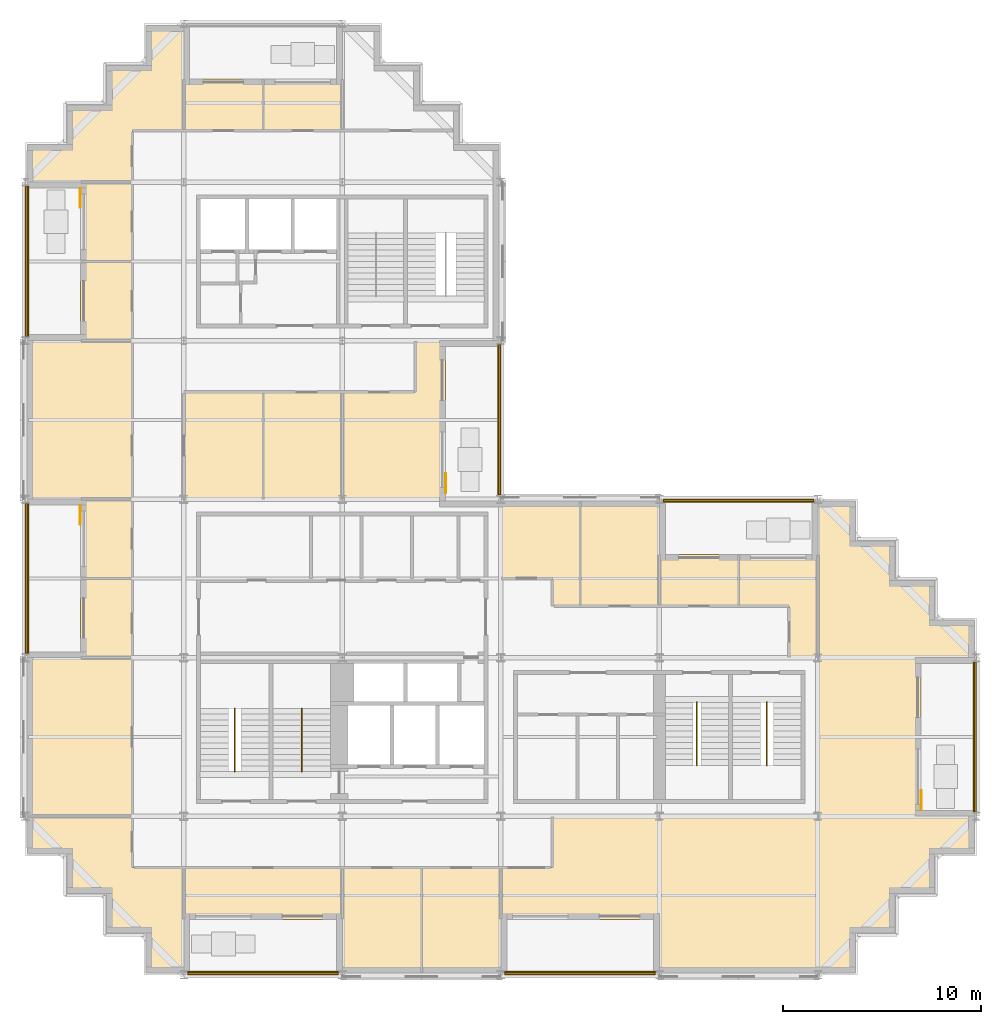
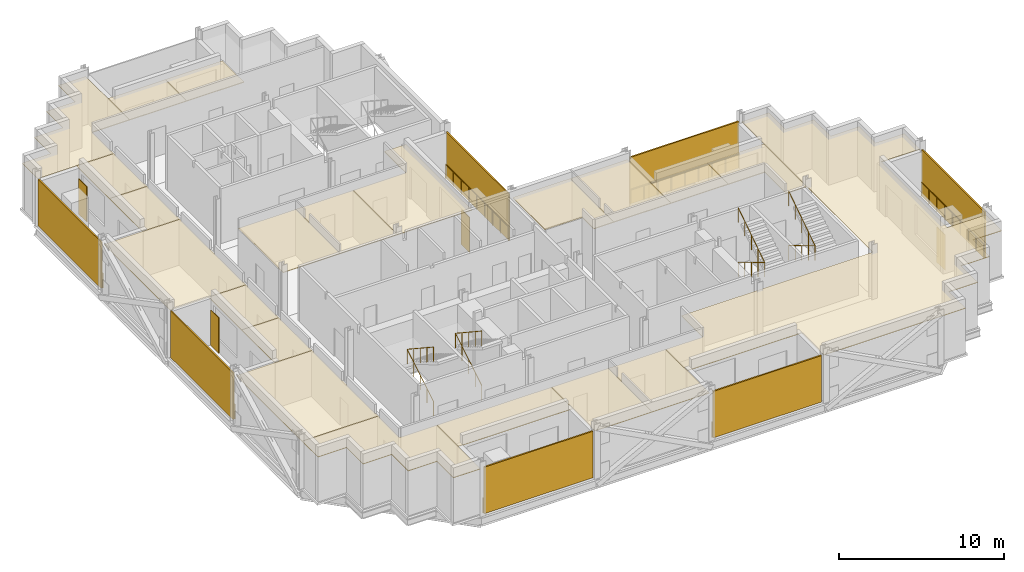
# One storey, part 11 of 13: 21 coverings, 11 railings, 11 shading devices.
"""IFC4 building model written with IfcOpenShell, lengths in metres."""

from ifc_helpers import new_model, si_unit, direction, frame, origin, origin_2d, place, context, subcontext, project, spatial, polyline, rectangle, circle, outline, extrude, material, layer, layer_set, type_object, element, save


model = new_model("IFC4")

# Units and contexts
model_context = context("Model", 3, precision=1e-05, world=origin(), true_north=direction((0.0, 1.0)))
body_context = subcontext(model_context, "Body", "Model", "MODEL_VIEW")
ifc_project = project(units=[si_unit("LENGTHUNIT", "METRE"), si_unit("AREAUNIT", "SQUARE_METRE"), si_unit("VOLUMEUNIT", "CUBIC_METRE"), si_unit("PLANEANGLEUNIT", "RADIAN"), si_unit("MASSUNIT", "GRAM", prefix="KILO")], contexts=[model_context])

# Site, building, storey
site_placement = place(None, origin())
site = spatial("IfcSite", under=ifc_project, at=site_placement, CompositionType="ELEMENT")
building_placement = place(site_placement, origin())
building = spatial("IfcBuilding", under=site, at=building_placement, Name="Immortelle Media Tower", CompositionType="ELEMENT")
storey_placement = place(building_placement, frame((0.0, 0.0, 174.60009765625)))
storey = spatial("IfcBuildingStorey", under=building, at=storey_placement, Name="L36", CompositionType="ELEMENT", Elevation=174.60009765625)

# Railings
ifc_material_1 = material(Name="Powder-coated aluminium fretwork panel, laminated glass backing", Category="aluminium")
railing_type_1 = type_object("IfcRailingType", Name="Fretwork balustrade 1100", PredefinedType="BALUSTRADE", material=ifc_material_1)
railing_1_placement = place(storey_placement, frame((8.202880859375, 0.139892578125, 0.0)))
element("IfcRailing", 1, at=railing_1_placement, inside=storey, type_object=railing_type_1, Name="Fretwork balustrade L36 S0", PredefinedType="BALUSTRADE", context=body_context, shape_type="SweptSolid", body=[
    extrude(circle(Radius=0.02490234375, at=origin_2d()), frame((0.0, 0.0, 1.0751953125), z_axis=(1.0, 0.0, 0.0), x_axis=(0.0, 1.0, 0.0)), (0.0, 0.0, 1.0), 7.591552734375),
    extrude(circle(Radius=0.02001953125, at=origin_2d()), origin(), (0.0, 0.0, 1.0), 1.050048828125),
    extrude(circle(Radius=0.02001953125, at=origin_2d()), frame((0.948974609375, 0.0, 0.0)), (0.0, 0.0, 1.0), 1.050048828125),
    extrude(circle(Radius=0.02001953125, at=origin_2d()), frame((1.89794921875, 0.0, 0.0)), (0.0, 0.0, 1.0), 1.050048828125),
    extrude(circle(Radius=0.02001953125, at=origin_2d()), frame((2.846923828125, 0.0, 0.0)), (0.0, 0.0, 1.0), 1.050048828125),
    extrude(circle(Radius=0.02001953125, at=origin_2d()), frame((3.7958984375, 0.0, 0.0)), (0.0, 0.0, 1.0), 1.050048828125),
    extrude(circle(Radius=0.02001953125, at=origin_2d()), frame((4.74462890625, 0.0, 0.0)), (0.0, 0.0, 1.0), 1.050048828125),
    extrude(circle(Radius=0.02001953125, at=origin_2d()), frame((5.693603515625, 0.0, 0.0)), (0.0, 0.0, 1.0), 1.050048828125),
    extrude(circle(Radius=0.02001953125, at=origin_2d()), frame((6.642578125, 0.0, 0.0)), (0.0, 0.0, 1.0), 1.050048828125),
    extrude(circle(Radius=0.02001953125, at=origin_2d()), frame((7.591552734375, 0.0, 0.0)), (0.0, 0.0, 1.0), 1.050048828125),
])
railing_2_placement = place(storey_placement, frame((24.20556640625, 0.139892578125, 0.0)))
element("IfcRailing", 2, at=railing_2_placement, inside=storey, type_object=railing_type_1, Name="Fretwork balustrade L36 S2", PredefinedType="BALUSTRADE", context=body_context, shape_type="SweptSolid", body=[
    extrude(circle(Radius=0.02490234375, at=origin_2d()), frame((0.0, 0.0, 1.0751953125), z_axis=(1.0, 0.0, 0.0), x_axis=(0.0, 1.0, 0.0)), (0.0, 0.0, 1.0), 7.5888671875),
    extrude(circle(Radius=0.02001953125, at=origin_2d()), origin(), (0.0, 0.0, 1.0), 1.050048828125),
    extrude(circle(Radius=0.02001953125, at=origin_2d()), frame((0.94873046875, 0.0, 0.0)), (0.0, 0.0, 1.0), 1.050048828125),
    extrude(circle(Radius=0.02001953125, at=origin_2d()), frame((1.897216796875, 0.0, 0.0)), (0.0, 0.0, 1.0), 1.050048828125),
    extrude(circle(Radius=0.02001953125, at=origin_2d()), frame((2.845703125, 0.0, 0.0)), (0.0, 0.0, 1.0), 1.050048828125),
    extrude(circle(Radius=0.02001953125, at=origin_2d()), frame((3.79443359375, 0.0, 0.0)), (0.0, 0.0, 1.0), 1.050048828125),
    extrude(circle(Radius=0.02001953125, at=origin_2d()), frame((4.7431640625, 0.0, 0.0)), (0.0, 0.0, 1.0), 1.050048828125),
    extrude(circle(Radius=0.02001953125, at=origin_2d()), frame((5.691650390625, 0.0, 0.0)), (0.0, 0.0, 1.0), 1.050048828125),
    extrude(circle(Radius=0.02001953125, at=origin_2d()), frame((6.64013671875, 0.0, 0.0)), (0.0, 0.0, 1.0), 1.050048828125),
    extrude(circle(Radius=0.02001953125, at=origin_2d()), frame((7.5888671875, 0.0, 0.0)), (0.0, 0.0, 1.0), 1.050048828125),
])
railing_3_placement = place(storey_placement, frame((47.860107421875, 8.20849609375, 0.0)))
element("IfcRailing", 3, at=railing_3_placement, inside=storey, type_object=railing_type_1, Name="Fretwork balustrade L36 E0", PredefinedType="BALUSTRADE", context=body_context, shape_type="SweptSolid", body=[
    extrude(circle(Radius=0.02490234375, at=origin_2d()), frame((0.0, 0.0, 1.0751953125), z_axis=(0.0, 1.0, 0.0), x_axis=(-1.0, 0.0, 0.0)), (0.0, 0.0, 1.0), 7.5830078125),
    extrude(circle(Radius=0.02001953125, at=origin_2d()), origin(), (0.0, 0.0, 1.0), 1.050048828125),
    extrude(circle(Radius=0.02001953125, at=origin_2d()), frame((0.0, 0.94775390625, 0.0)), (0.0, 0.0, 1.0), 1.050048828125),
    extrude(circle(Radius=0.02001953125, at=origin_2d()), frame((0.0, 1.895751953125, 0.0)), (0.0, 0.0, 1.0), 1.050048828125),
    extrude(circle(Radius=0.02001953125, at=origin_2d()), frame((0.0, 2.84375, 0.0)), (0.0, 0.0, 1.0), 1.050048828125),
    extrude(circle(Radius=0.02001953125, at=origin_2d()), frame((0.0, 3.79150390625, 0.0)), (0.0, 0.0, 1.0), 1.050048828125),
    extrude(circle(Radius=0.02001953125, at=origin_2d()), frame((0.0, 4.7392578125, 0.0)), (0.0, 0.0, 1.0), 1.050048828125),
    extrude(circle(Radius=0.02001953125, at=origin_2d()), frame((0.0, 5.687255859375, 0.0)), (0.0, 0.0, 1.0), 1.050048828125),
    extrude(circle(Radius=0.02001953125, at=origin_2d()), frame((0.0, 6.63525390625, 0.0)), (0.0, 0.0, 1.0), 1.050048828125),
    extrude(circle(Radius=0.02001953125, at=origin_2d()), frame((0.0, 7.5830078125, 0.0)), (0.0, 0.0, 1.0), 1.050048828125),
])
railing_4_placement = place(storey_placement, frame((39.797119140625, 23.860107421875, 0.0)))
element("IfcRailing", 4, at=railing_4_placement, inside=storey, type_object=railing_type_1, Name="Fretwork balustrade L36 N0", PredefinedType="BALUSTRADE", context=body_context, shape_type="SweptSolid", body=[
    extrude(circle(Radius=0.02490234375, at=origin_2d()), frame((0.0, 0.0, 1.0751953125), z_axis=(-1.0, 0.0, 0.0), x_axis=(0.0, -1.0, 0.0)), (0.0, 0.0, 1.0), 7.591552734375),
    extrude(circle(Radius=0.02001953125, at=origin_2d()), origin(), (0.0, 0.0, 1.0), 1.050048828125),
    extrude(circle(Radius=0.02001953125, at=origin_2d()), frame((-0.948974609375, 0.0, 0.0)), (0.0, 0.0, 1.0), 1.050048828125),
    extrude(circle(Radius=0.02001953125, at=origin_2d()), frame((-1.89794921875, 0.0, 0.0)), (0.0, 0.0, 1.0), 1.050048828125),
    extrude(circle(Radius=0.02001953125, at=origin_2d()), frame((-2.846923828125, 0.0, 0.0)), (0.0, 0.0, 1.0), 1.050048828125),
    extrude(circle(Radius=0.02001953125, at=origin_2d()), frame((-3.7958984375, 0.0, 0.0)), (0.0, 0.0, 1.0), 1.050048828125),
    extrude(circle(Radius=0.02001953125, at=origin_2d()), frame((-4.74462890625, 0.0, 0.0)), (0.0, 0.0, 1.0), 1.050048828125),
    extrude(circle(Radius=0.02001953125, at=origin_2d()), frame((-5.693603515625, 0.0, 0.0)), (0.0, 0.0, 1.0), 1.050048828125),
    extrude(circle(Radius=0.02001953125, at=origin_2d()), frame((-6.642578125, 0.0, 0.0)), (0.0, 0.0, 1.0), 1.050048828125),
    extrude(circle(Radius=0.02001953125, at=origin_2d()), frame((-7.591552734375, 0.0, 0.0)), (0.0, 0.0, 1.0), 1.050048828125),
])
railing_5_placement = place(storey_placement, frame((23.860107421875, 24.217041015625, 0.0)))
element("IfcRailing", 5, at=railing_5_placement, inside=storey, type_object=railing_type_1, Name="Fretwork balustrade L36 E0", PredefinedType="BALUSTRADE", context=body_context, shape_type="SweptSolid", body=[
    extrude(circle(Radius=0.02490234375, at=origin_2d()), frame((0.0, 0.0, 1.0751953125), z_axis=(0.0, 1.0, 0.0), x_axis=(-1.0, 0.0, 0.0)), (0.0, 0.0, 1.0), 7.58984375),
    extrude(circle(Radius=0.02001953125, at=origin_2d()), origin(), (0.0, 0.0, 1.0), 1.050048828125),
    extrude(circle(Radius=0.02001953125, at=origin_2d()), frame((0.0, 0.94873046875, 0.0)), (0.0, 0.0, 1.0), 1.050048828125),
    extrude(circle(Radius=0.02001953125, at=origin_2d()), frame((0.0, 1.8974609375, 0.0)), (0.0, 0.0, 1.0), 1.050048828125),
    extrude(circle(Radius=0.02001953125, at=origin_2d()), frame((0.0, 2.84619140625, 0.0)), (0.0, 0.0, 1.0), 1.050048828125),
    extrude(circle(Radius=0.02001953125, at=origin_2d()), frame((0.0, 3.794921875, 0.0)), (0.0, 0.0, 1.0), 1.050048828125),
    extrude(circle(Radius=0.02001953125, at=origin_2d()), frame((0.0, 4.74365234375, 0.0)), (0.0, 0.0, 1.0), 1.050048828125),
    extrude(circle(Radius=0.02001953125, at=origin_2d()), frame((0.0, 5.6923828125, 0.0)), (0.0, 0.0, 1.0), 1.050048828125),
    extrude(circle(Radius=0.02001953125, at=origin_2d()), frame((0.0, 6.64111328125, 0.0)), (0.0, 0.0, 1.0), 1.050048828125),
    extrude(circle(Radius=0.02001953125, at=origin_2d()), frame((0.0, 7.58984375, 0.0)), (0.0, 0.0, 1.0), 1.050048828125),
])
railing_6_placement = place(storey_placement, frame((0.139892578125, 39.81591796875, 0.0)))
element("IfcRailing", 6, at=railing_6_placement, inside=storey, type_object=railing_type_1, Name="Fretwork balustrade L36 W0", PredefinedType="BALUSTRADE", context=body_context, shape_type="SweptSolid", body=[
    extrude(circle(Radius=0.02490234375, at=origin_2d()), frame((0.0, 0.0, 1.0751953125), z_axis=(0.0, -1.0, 0.0), x_axis=(1.0, 0.0, 0.0)), (0.0, 0.0, 1.0), 7.622802734375),
    extrude(circle(Radius=0.02001953125, at=origin_2d()), origin(), (0.0, 0.0, 1.0), 1.050048828125),
    extrude(circle(Radius=0.02001953125, at=origin_2d()), frame((0.0, -0.952880859375, 0.0)), (0.0, 0.0, 1.0), 1.050048828125),
    extrude(circle(Radius=0.02001953125, at=origin_2d()), frame((0.0, -1.90576171875, 0.0)), (0.0, 0.0, 1.0), 1.050048828125),
    extrude(circle(Radius=0.02001953125, at=origin_2d()), frame((0.0, -2.858642578125, 0.0)), (0.0, 0.0, 1.0), 1.050048828125),
    extrude(circle(Radius=0.02001953125, at=origin_2d()), frame((0.0, -3.8115234375, 0.0)), (0.0, 0.0, 1.0), 1.050048828125),
    extrude(circle(Radius=0.02001953125, at=origin_2d()), frame((0.0, -4.76416015625, 0.0)), (0.0, 0.0, 1.0), 1.050048828125),
    extrude(circle(Radius=0.02001953125, at=origin_2d()), frame((0.0, -5.717041015625, 0.0)), (0.0, 0.0, 1.0), 1.050048828125),
    extrude(circle(Radius=0.02001953125, at=origin_2d()), frame((0.0, -6.669921875, 0.0)), (0.0, 0.0, 1.0), 1.050048828125),
    extrude(circle(Radius=0.02001953125, at=origin_2d()), frame((0.0, -7.622802734375, 0.0)), (0.0, 0.0, 1.0), 1.050048828125),
])
railing_7_placement = place(storey_placement, frame((0.139892578125, 23.806884765625, 0.0)))
element("IfcRailing", 7, at=railing_7_placement, inside=storey, type_object=railing_type_1, Name="Fretwork balustrade L36 W2", PredefinedType="BALUSTRADE", context=body_context, shape_type="SweptSolid", body=[
    extrude(circle(Radius=0.02490234375, at=origin_2d()), frame((0.0, 0.0, 1.0751953125), z_axis=(0.0, -1.0, 0.0), x_axis=(1.0, 0.0, 0.0)), (0.0, 0.0, 1.0), 7.58984375),
    extrude(circle(Radius=0.02001953125, at=origin_2d()), origin(), (0.0, 0.0, 1.0), 1.050048828125),
    extrude(circle(Radius=0.02001953125, at=origin_2d()), frame((0.0, -0.94873046875, 0.0)), (0.0, 0.0, 1.0), 1.050048828125),
    extrude(circle(Radius=0.02001953125, at=origin_2d()), frame((0.0, -1.8974609375, 0.0)), (0.0, 0.0, 1.0), 1.050048828125),
    extrude(circle(Radius=0.02001953125, at=origin_2d()), frame((0.0, -2.84619140625, 0.0)), (0.0, 0.0, 1.0), 1.050048828125),
    extrude(circle(Radius=0.02001953125, at=origin_2d()), frame((0.0, -3.794921875, 0.0)), (0.0, 0.0, 1.0), 1.050048828125),
    extrude(circle(Radius=0.02001953125, at=origin_2d()), frame((0.0, -4.74365234375, 0.0)), (0.0, 0.0, 1.0), 1.050048828125),
    extrude(circle(Radius=0.02001953125, at=origin_2d()), frame((0.0, -5.6923828125, 0.0)), (0.0, 0.0, 1.0), 1.050048828125),
    extrude(circle(Radius=0.02001953125, at=origin_2d()), frame((0.0, -6.64111328125, 0.0)), (0.0, 0.0, 1.0), 1.050048828125),
    extrude(circle(Radius=0.02001953125, at=origin_2d()), frame((0.0, -7.58984375, 0.0)), (0.0, 0.0, 1.0), 1.050048828125),
])

# Shading devices
ifc_material_2 = material(Name="Pale aluminium louvre blades", Category="aluminium")
ifc_layer_1 = layer(ifc_material_2, 0.10009765625)
ifc_layer_set_1 = layer_set([ifc_layer_1], Name="Pale aluminium louvre blades")
shading_device_type_1 = type_object("IfcShadingDeviceType", Name="Jalousie screen 100", PredefinedType="JALOUSIE", material=ifc_layer_set_1)
shading_device_1_placement = place(storey_placement, frame((11.998779296875, 0.050048828125, 0.0), z_axis=(0.0, 0.0, 1.0), x_axis=(1.0, 0.0, 0.0)))
element("IfcShadingDevice", 8, at=shading_device_1_placement, inside=storey, type_object=shading_device_type_1, Name="Jalousie screen L36 S0", PredefinedType="JALOUSIE", context=body_context, shape_type="SweptSolid", body=[
    extrude(rectangle(XDim=7.591552734375, YDim=0.10009765625, at=origin_2d()), origin(), (0.0, 0.0, 1.0), 3.43798828125),
])
shading_device_2_placement = place(storey_placement, frame((28.0, 0.050048828125, 0.0), z_axis=(0.0, 0.0, 1.0), x_axis=(1.0, 0.0, 0.0)))
element("IfcShadingDevice", 9, at=shading_device_2_placement, inside=storey, type_object=shading_device_type_1, Name="Jalousie screen L36 S2", PredefinedType="JALOUSIE", context=body_context, shape_type="SweptSolid", body=[
    extrude(rectangle(XDim=7.589111328125, YDim=0.10009765625, at=origin_2d()), origin(), (0.0, 0.0, 1.0), 3.43798828125),
])
shading_device_3_placement = place(storey_placement, frame((47.949951171875, 12.0, 0.0), z_axis=(0.0, 0.0, 1.0), x_axis=(0.0, 1.0, 0.0)))
element("IfcShadingDevice", 10, at=shading_device_3_placement, inside=storey, type_object=shading_device_type_1, Name="Jalousie screen L36 E0", PredefinedType="JALOUSIE", context=body_context, shape_type="SweptSolid", body=[
    extrude(rectangle(XDim=7.5830078125, YDim=0.10009765625, at=origin_2d()), origin(), (0.0, 0.0, 1.0), 3.43798828125),
])
shading_device_4_placement = place(storey_placement, frame((36.001220703125, 23.949951171875, 0.0), z_axis=(0.0, 0.0, 1.0), x_axis=(-1.0, 0.0, 0.0)))
element("IfcShadingDevice", 11, at=shading_device_4_placement, inside=storey, type_object=shading_device_type_1, Name="Jalousie screen L36 N0", PredefinedType="JALOUSIE", context=body_context, shape_type="SweptSolid", body=[
    extrude(rectangle(XDim=7.591552734375, YDim=0.10009765625, at=origin_2d()), origin(), (0.0, 0.0, 1.0), 3.43798828125),
])
shading_device_5_placement = place(storey_placement, frame((23.949951171875, 28.011962890625, 0.0), z_axis=(0.0, 0.0, 1.0), x_axis=(0.0, 1.0, 0.0)))
element("IfcShadingDevice", 12, at=shading_device_5_placement, inside=storey, type_object=shading_device_type_1, Name="Jalousie screen L36 E0", PredefinedType="JALOUSIE", context=body_context, shape_type="SweptSolid", body=[
    extrude(rectangle(XDim=7.590087890625, YDim=0.10009765625, at=origin_2d()), origin(), (0.0, 0.0, 1.0), 3.43798828125),
])
shading_device_6_placement = place(storey_placement, frame((0.050048828125, 36.00439453125, 0.0), z_axis=(0.0, 0.0, 1.0), x_axis=(0.0, -1.0, 0.0)))
element("IfcShadingDevice", 13, at=shading_device_6_placement, inside=storey, type_object=shading_device_type_1, Name="Jalousie screen L36 W0", PredefinedType="JALOUSIE", context=body_context, shape_type="SweptSolid", body=[
    extrude(rectangle(XDim=7.623046875, YDim=0.10009765625, at=origin_2d()), origin(), (0.0, 0.0, 1.0), 3.43798828125),
])
shading_device_7_placement = place(storey_placement, frame((0.050048828125, 20.011962890625, 0.0), z_axis=(0.0, 0.0, 1.0), x_axis=(0.0, -1.0, 0.0)))
element("IfcShadingDevice", 14, at=shading_device_7_placement, inside=storey, type_object=shading_device_type_1, Name="Jalousie screen L36 W2", PredefinedType="JALOUSIE", context=body_context, shape_type="SweptSolid", body=[
    extrude(rectangle(XDim=7.590087890625, YDim=0.10009765625, at=origin_2d()), origin(), (0.0, 0.0, 1.0), 3.43798828125),
])
ifc_material_3 = material(Name="Pale aluminium louvre blades in a folding frame", Category="aluminium")
ifc_layer_2 = layer(ifc_material_3, 0.050048828125)
ifc_layer_set_2 = layer_set([ifc_layer_2], Name="Pale aluminium louvre blades in a folding frame")
shading_device_type_2 = type_object("IfcShadingDeviceType", Name="Louvred loggia shutter", PredefinedType="SHUTTER", material=ifc_layer_set_2)
for number, where, z_axis, x_axis, name in (
    (15, (45.22509765625, 8.800048828125, -0.000244140625), (0.0, 0.0, 1.0), (0.0, 1.0, 0.0), "Loggia shutter L36 E0"),
    (16, (21.22509765625, 24.800048828125, -0.000244140625), (0.0, 0.0, 1.0), (0.0, 1.0, 0.0), "Loggia shutter L36 E0"),
    (17, (2.77490234375, 39.199951171875, -0.000244140625), (0.0, 0.0, 1.0), (0.0, -1.0, 0.0), "Loggia shutter L36 W0"),
    (18, (2.77490234375, 23.199951171875, -0.000244140625), (0.0, 0.0, 1.0), (0.0, -1.0, 0.0), "Loggia shutter L36 W2"),
):
    element("IfcShadingDevice", number, at=place(storey_placement, frame(where, z_axis=z_axis, x_axis=x_axis)), inside=storey, type_object=shading_device_type_2, Name=name, PredefinedType="SHUTTER", context=body_context, shape_type="SweptSolid", body=[
        extrude(rectangle(XDim=1.0, YDim=0.050048828125, at=origin_2d()), origin(), (0.0, 0.0, 1.0), 2.60009765625),
    ])

# Railings
ifc_material_4 = material(Name="Stainless steel AISI 316", Category="steel")
railing_type_2 = type_object("IfcRailingType", Name="Stair guard 1100", PredefinedType="GUARDRAIL", material=ifc_material_4)
for number, where, name in (
    (19, (10.574951171875, 10.25, 0.1748046875), "Stair guard SW1"),
    (20, (13.949951171875, 10.25, 0.1748046875), "Stair guard SW2"),
):
    element("IfcRailing", number, at=place(storey_placement, frame(where)), inside=storey, type_object=railing_type_2, Name=name, PredefinedType="GUARDRAIL", context=body_context, shape_type="SweptSolid", body=[
        extrude(circle(Radius=0.02392578125, at=origin_2d()), frame((0.0, 0.0, 1.076171875), z_axis=(0.0, 0.856177665481, 0.516681531633), x_axis=(-1.0, 0.0, 0.0)), (0.0, 0.0, 1.0), 3.725830078125),
        extrude(circle(Radius=0.02392578125, at=origin_2d()), frame((0.0, 3.18994140625, 3.0009765625), z_axis=(0.0, -0.835242474824, 0.549881812983), x_axis=(1.0, 0.0, 0.0)), (0.0, 0.0, 1.0), 3.819091796875),
        extrude(circle(Radius=0.02099609375, at=origin_2d()), origin(), (0.0, 0.0, 1.0), 1.052001953125),
        extrude(circle(Radius=0.02099609375, at=origin_2d()), frame((0.0, 0.79736328125, 0.481201171875)), (0.0, 0.0, 1.0), 1.052001953125),
        extrude(circle(Radius=0.02099609375, at=origin_2d()), frame((0.0, 1.594970703125, 0.96240234375)), (0.0, 0.0, 1.0), 1.052001953125),
        extrude(circle(Radius=0.02099609375, at=origin_2d()), frame((0.0, 2.392578125, 1.44384765625)), (0.0, 0.0, 1.0), 1.052001953125),
        extrude(circle(Radius=0.02099609375, at=origin_2d()), frame((0.0, 3.18994140625, 1.925048828125)), (0.0, 0.0, 1.0), 1.052001953125),
        extrude(circle(Radius=0.02099609375, at=origin_2d()), frame((0.0, 2.392578125, 2.4501953125)), (0.0, 0.0, 1.0), 1.052001953125),
        extrude(circle(Radius=0.02099609375, at=origin_2d()), frame((0.0, 1.594970703125, 2.97509765625)), (0.0, 0.0, 1.0), 1.052001953125),
        extrude(circle(Radius=0.02099609375, at=origin_2d()), frame((0.0, 0.79736328125, 3.5)), (0.0, 0.0, 1.0), 1.052001953125),
        extrude(circle(Radius=0.02099609375, at=origin_2d()), frame((0.0, 0.0, 4.025146484375)), (0.0, 0.0, 1.0), 1.052001953125),
    ])
for number, where, name in (
    (21, (33.89990234375, 13.75, 0.1748046875), "Stair guard SE1"),
    (22, (37.425048828125, 13.75, 0.1748046875), "Stair guard SE2"),
):
    element("IfcRailing", number, at=place(storey_placement, frame(where)), inside=storey, type_object=railing_type_2, Name=name, PredefinedType="GUARDRAIL", context=body_context, shape_type="SweptSolid", body=[
        extrude(circle(Radius=0.02392578125, at=origin_2d()), frame((0.0, 0.0, 1.076171875), z_axis=(0.0, -0.856177665481, 0.516681531633), x_axis=(1.0, 0.0, 0.0)), (0.0, 0.0, 1.0), 3.725830078125),
        extrude(circle(Radius=0.02392578125, at=origin_2d()), frame((0.0, -3.18994140625, 3.0009765625), z_axis=(0.0, 0.835242474824, 0.549881812983), x_axis=(-1.0, 0.0, 0.0)), (0.0, 0.0, 1.0), 3.819091796875),
        extrude(circle(Radius=0.02099609375, at=origin_2d()), origin(), (0.0, 0.0, 1.0), 1.052001953125),
        extrude(circle(Radius=0.02099609375, at=origin_2d()), frame((0.0, -0.79736328125, 0.481201171875)), (0.0, 0.0, 1.0), 1.052001953125),
        extrude(circle(Radius=0.02099609375, at=origin_2d()), frame((0.0, -1.594970703125, 0.96240234375)), (0.0, 0.0, 1.0), 1.052001953125),
        extrude(circle(Radius=0.02099609375, at=origin_2d()), frame((0.0, -2.392578125, 1.44384765625)), (0.0, 0.0, 1.0), 1.052001953125),
        extrude(circle(Radius=0.02099609375, at=origin_2d()), frame((0.0, -3.18994140625, 1.925048828125)), (0.0, 0.0, 1.0), 1.052001953125),
        extrude(circle(Radius=0.02099609375, at=origin_2d()), frame((0.0, -2.392578125, 2.4501953125)), (0.0, 0.0, 1.0), 1.052001953125),
        extrude(circle(Radius=0.02099609375, at=origin_2d()), frame((0.0, -1.594970703125, 2.97509765625)), (0.0, 0.0, 1.0), 1.052001953125),
        extrude(circle(Radius=0.02099609375, at=origin_2d()), frame((0.0, -0.79736328125, 3.5)), (0.0, 0.0, 1.0), 1.052001953125),
        extrude(circle(Radius=0.02099609375, at=origin_2d()), frame((0.0, 0.0, 4.025146484375)), (0.0, 0.0, 1.0), 1.052001953125),
    ])

# Coverings
ifc_material_5 = material(Name="Mineral fibre tile ceiling")
ifc_layer_3 = layer(ifc_material_5, 0.050048828125)
ifc_layer_set_3 = layer_set([ifc_layer_3], Name="Mineral fibre tile ceiling")
covering_type = type_object("IfcCoveringType", Name="Suspended ceiling 50", PredefinedType="CEILING", material=ifc_layer_set_3)
covering_1_placement = place(storey_placement, frame((0.0, 0.0, 3.303955078125)))
element("IfcCovering", 23, at=covering_1_placement, inside=storey, type_object=covering_type, Name="Ceiling L36-001", PredefinedType="CEILING", context=body_context, shape_type="SweptSolid", body=[
    extrude(outline(polyline([(16.0, 2.800048828125), (16.0, 5.39990234375), (20.0, 5.39990234375), (20.0, 0.10009765625), (16.0, 0.10009765625), (16.0, 2.800048828125)])), origin(), (0.0, 0.0, 1.0), 0.050048828125),
])
covering_2_placement = place(storey_placement, frame((0.0, 0.0, 3.303955078125)))
element("IfcCovering", 24, at=covering_2_placement, inside=storey, type_object=covering_type, Name="Ceiling L36-002", PredefinedType="CEILING", context=body_context, shape_type="SweptSolid", body=[
    extrude(outline(polyline([(24.0, 5.39990234375), (24.0, 2.800048828125), (24.0, 0.10009765625), (20.0, 0.10009765625), (20.0, 5.39990234375), (24.0, 5.39990234375)])), origin(), (0.0, 0.0, 1.0), 0.050048828125),
])
covering_3_placement = place(storey_placement, frame((0.0, 0.0, 3.303955078125)))
element("IfcCovering", 25, at=covering_3_placement, inside=storey, type_object=covering_type, Name="Ceiling L36-003", PredefinedType="CEILING", context=body_context, shape_type="SweptSolid", body=[
    extrude(outline(polyline([(8.0, 2.800048828125), (8.0, 5.39990234375), (16.0, 5.39990234375), (16.0, 2.800048828125), (8.0, 2.800048828125)])), origin(), (0.0, 0.0, 1.0), 0.050048828125),
])
covering_4_placement = place(storey_placement, frame((0.0, 0.0, 3.303955078125)))
element("IfcCovering", 26, at=covering_4_placement, inside=storey, type_object=covering_type, Name="Ceiling L36-004", PredefinedType="CEILING", context=body_context, shape_type="SweptSolid", body=[
    extrude(outline(polyline([(4.10009765625, 2.10009765625), (4.10009765625, 4.10009765625), (4.0, 4.10009765625), (2.10009765625, 4.10009765625), (2.10009765625, 6.10009765625), (0.10009765625, 6.10009765625), (0.10009765625, 8.0), (4.0, 8.0), (5.39990234375, 8.0), (5.39990234375, 5.39990234375), (8.0, 5.39990234375), (8.0, 2.800048828125), (8.0, 0.10009765625), (6.10009765625, 0.10009765625), (6.10009765625, 2.10009765625), (4.10009765625, 2.10009765625)])), origin(), (0.0, 0.0, 1.0), 0.050048828125),
])
covering_5_placement = place(storey_placement, frame((0.0, 0.0, 3.303955078125)))
element("IfcCovering", 27, at=covering_5_placement, inside=storey, type_object=covering_type, Name="Ceiling L36-005", PredefinedType="CEILING", context=body_context, shape_type="SweptSolid", body=[
    extrude(outline(polyline([(26.60009765625, 5.39990234375), (26.60009765625, 8.0), (32.0, 8.0), (40.0, 8.0), (40.0, 16.0), (40.0, 21.199951171875), (40.0, 23.89990234375), (41.89990234375, 23.89990234375), (41.89990234375, 21.89990234375), (43.89990234375, 21.89990234375), (43.89990234375, 19.89990234375), (45.89990234375, 19.89990234375), (45.89990234375, 17.89990234375), (47.89990234375, 17.89990234375), (47.89990234375, 16.0), (45.199951171875, 16.0), (45.199951171875, 8.0), (47.89990234375, 8.0), (47.89990234375, 6.10009765625), (45.89990234375, 6.10009765625), (45.89990234375, 4.10009765625), (43.89990234375, 4.10009765625), (43.89990234375, 2.10009765625), (41.89990234375, 2.10009765625), (41.89990234375, 0.10009765625), (40.0, 0.10009765625), (32.0, 0.10009765625), (32.0, 2.800048828125), (24.0, 2.800048828125), (24.0, 5.39990234375), (26.60009765625, 5.39990234375)])), origin(), (0.0, 0.0, 1.0), 0.050048828125),
])
covering_6_placement = place(storey_placement, frame((0.0, 0.0, 3.303955078125)))
element("IfcCovering", 28, at=covering_6_placement, inside=storey, type_object=covering_type, Name="Ceiling L36-006", PredefinedType="CEILING", context=body_context, shape_type="SweptSolid", body=[
    extrude(outline(polyline([(5.39990234375, 8.0), (0.10009765625, 8.0), (0.10009765625, 16.0), (2.800048828125, 16.0), (5.39990234375, 16.0), (5.39990234375, 8.0)])), origin(), (0.0, 0.0, 1.0), 0.050048828125),
])
covering_7_placement = place(storey_placement, frame((0.0, 0.0, 3.303955078125)))
element("IfcCovering", 29, at=covering_7_placement, inside=storey, type_object=covering_type, Name="Ceiling L36-007", PredefinedType="CEILING", context=body_context, shape_type="SweptSolid", body=[
    extrude(outline(polyline([(32.0, 18.60009765625), (32.0, 21.199951171875), (36.0, 21.199951171875), (36.0, 18.60009765625), (32.0, 18.60009765625)])), origin(), (0.0, 0.0, 1.0), 0.050048828125),
])
covering_8_placement = place(storey_placement, frame((0.0, 0.0, 3.303955078125)))
element("IfcCovering", 30, at=covering_8_placement, inside=storey, type_object=covering_type, Name="Ceiling L36-008", PredefinedType="CEILING", context=body_context, shape_type="SweptSolid", body=[
    extrude(outline(polyline([(38.550048828125, 18.60009765625), (36.0, 18.60009765625), (36.0, 21.199951171875), (40.0, 21.199951171875), (40.0, 16.0), (38.550048828125, 16.0), (38.550048828125, 18.60009765625)])), origin(), (0.0, 0.0, 1.0), 0.050048828125),
])
covering_9_placement = place(storey_placement, frame((0.0, 0.0, 3.303955078125)))
element("IfcCovering", 31, at=covering_9_placement, inside=storey, type_object=covering_type, Name="Ceiling L36-009", PredefinedType="CEILING", context=body_context, shape_type="SweptSolid", body=[
    extrude(outline(polyline([(5.39990234375, 16.0), (2.800048828125, 16.0), (2.800048828125, 20.0), (5.39990234375, 20.0), (5.39990234375, 19.449951171875), (5.39990234375, 16.0)])), origin(), (0.0, 0.0, 1.0), 0.050048828125),
])
covering_10_placement = place(storey_placement, frame((0.0, 0.0, 3.303955078125)))
element("IfcCovering", 32, at=covering_10_placement, inside=storey, type_object=covering_type, Name="Ceiling L36-010", PredefinedType="CEILING", context=body_context, shape_type="SweptSolid", body=[
    extrude(outline(polyline([(2.800048828125, 24.0), (5.39990234375, 24.0), (5.39990234375, 20.0), (2.800048828125, 20.0), (2.800048828125, 24.0)])), origin(), (0.0, 0.0, 1.0), 0.050048828125),
])
covering_11_placement = place(storey_placement, frame((0.0, 0.0, 3.303955078125)))
element("IfcCovering", 33, at=covering_11_placement, inside=storey, type_object=covering_type, Name="Ceiling L36-011", PredefinedType="CEILING", context=body_context, shape_type="SweptSolid", body=[
    extrude(outline(polyline([(26.60009765625, 18.60009765625), (26.60009765625, 20.0), (24.0, 20.0), (24.0, 23.89990234375), (28.0, 23.89990234375), (28.0, 18.60009765625), (27.0, 18.60009765625), (26.60009765625, 18.60009765625)])), origin(), (0.0, 0.0, 1.0), 0.050048828125),
])
covering_12_placement = place(storey_placement, frame((0.0, 0.0, 3.303955078125)))
element("IfcCovering", 34, at=covering_12_placement, inside=storey, type_object=covering_type, Name="Ceiling L36-012", PredefinedType="CEILING", context=body_context, shape_type="SweptSolid", body=[
    extrude(outline(polyline([(32.0, 23.89990234375), (32.0, 21.199951171875), (32.0, 18.60009765625), (28.0, 18.60009765625), (28.0, 23.89990234375), (32.0, 23.89990234375)])), origin(), (0.0, 0.0, 1.0), 0.050048828125),
])
covering_13_placement = place(storey_placement, frame((0.0, 0.0, 3.303955078125)))
element("IfcCovering", 35, at=covering_13_placement, inside=storey, type_object=covering_type, Name="Ceiling L36-013", PredefinedType="CEILING", context=body_context, shape_type="SweptSolid", body=[
    extrude(outline(polyline([(8.0, 29.39990234375), (12.0, 29.39990234375), (12.0, 24.0), (8.0, 24.0), (8.0, 29.39990234375)])), origin(), (0.0, 0.0, 1.0), 0.050048828125),
])
covering_14_placement = place(storey_placement, frame((0.0, 0.0, 3.303955078125)))
element("IfcCovering", 36, at=covering_14_placement, inside=storey, type_object=covering_type, Name="Ceiling L36-014", PredefinedType="CEILING", context=body_context, shape_type="SweptSolid", body=[
    extrude(outline(polyline([(12.199951171875, 29.39990234375), (12.39990234375, 29.39990234375), (16.0, 29.39990234375), (16.0, 24.0), (12.0, 24.0), (12.0, 29.39990234375), (12.199951171875, 29.39990234375)])), origin(), (0.0, 0.0, 1.0), 0.050048828125),
])
covering_15_placement = place(storey_placement, frame((0.0, 0.0, 3.303955078125)))
element("IfcCovering", 37, at=covering_15_placement, inside=storey, type_object=covering_type, Name="Ceiling L36-015", PredefinedType="CEILING", context=body_context, shape_type="SweptSolid", body=[
    extrude(outline(polyline([(16.0, 24.0), (16.0, 29.39990234375), (19.699951171875, 29.39990234375), (19.699951171875, 32.0), (21.199951171875, 32.0), (21.199951171875, 24.0), (16.0, 24.0)])), origin(), (0.0, 0.0, 1.0), 0.050048828125),
])
covering_16_placement = place(storey_placement, frame((0.0, 0.0, 3.303955078125)))
element("IfcCovering", 38, at=covering_16_placement, inside=storey, type_object=covering_type, Name="Ceiling L36-016", PredefinedType="CEILING", context=body_context, shape_type="SweptSolid", body=[
    extrude(outline(polyline([(5.39990234375, 29.39990234375), (5.39990234375, 24.0), (2.800048828125, 24.0), (0.10009765625, 24.0), (0.10009765625, 32.0), (2.800048828125, 32.0), (5.39990234375, 32.0), (5.39990234375, 29.39990234375)])), origin(), (0.0, 0.0, 1.0), 0.050048828125),
])
covering_17_placement = place(storey_placement, frame((0.0, 0.0, 3.303955078125)))
element("IfcCovering", 39, at=covering_17_placement, inside=storey, type_object=covering_type, Name="Ceiling L36-017", PredefinedType="CEILING", context=body_context, shape_type="SweptSolid", body=[
    extrude(outline(polyline([(5.39990234375, 32.0), (2.800048828125, 32.0), (2.800048828125, 36.0), (5.39990234375, 36.0), (5.39990234375, 32.0)])), origin(), (0.0, 0.0, 1.0), 0.050048828125),
])
covering_18_placement = place(storey_placement, frame((0.0, 0.0, 3.303955078125)))
element("IfcCovering", 40, at=covering_18_placement, inside=storey, type_object=covering_type, Name="Ceiling L36-018", PredefinedType="CEILING", context=body_context, shape_type="SweptSolid", body=[
    extrude(outline(polyline([(2.800048828125, 40.0), (5.39990234375, 40.0), (5.39990234375, 36.0), (2.800048828125, 36.0), (2.800048828125, 40.0)])), origin(), (0.0, 0.0, 1.0), 0.050048828125),
])
covering_19_placement = place(storey_placement, frame((0.0, 0.0, 3.303955078125)))
element("IfcCovering", 41, at=covering_19_placement, inside=storey, type_object=covering_type, Name="Ceiling L36-019", PredefinedType="CEILING", context=body_context, shape_type="SweptSolid", body=[
    extrude(outline(polyline([(2.800048828125, 40.0), (0.10009765625, 40.0), (0.10009765625, 41.89990234375), (2.10009765625, 41.89990234375), (2.10009765625, 43.89990234375), (4.10009765625, 43.89990234375), (4.10009765625, 44.0), (4.10009765625, 45.89990234375), (6.10009765625, 45.89990234375), (6.10009765625, 47.89990234375), (8.0, 47.89990234375), (8.0, 45.199951171875), (8.0, 44.0), (8.0, 42.60009765625), (5.39990234375, 42.60009765625), (5.39990234375, 40.0), (2.800048828125, 40.0)])), origin(), (0.0, 0.0, 1.0), 0.050048828125),
])
covering_20_placement = place(storey_placement, frame((0.0, 0.0, 3.303955078125)))
element("IfcCovering", 42, at=covering_20_placement, inside=storey, type_object=covering_type, Name="Ceiling L36-020", PredefinedType="CEILING", context=body_context, shape_type="SweptSolid", body=[
    extrude(outline(polyline([(8.0, 45.199951171875), (12.0, 45.199951171875), (12.0, 42.60009765625), (8.0, 42.60009765625), (8.0, 45.199951171875)])), origin(), (0.0, 0.0, 1.0), 0.050048828125),
])
covering_21_placement = place(storey_placement, frame((0.0, 0.0, 3.303955078125)))
element("IfcCovering", 43, at=covering_21_placement, inside=storey, type_object=covering_type, Name="Ceiling L36-021", PredefinedType="CEILING", context=body_context, shape_type="SweptSolid", body=[
    extrude(outline(polyline([(16.0, 45.199951171875), (16.0, 42.60009765625), (12.0, 42.60009765625), (12.0, 45.199951171875), (16.0, 45.199951171875)])), origin(), (0.0, 0.0, 1.0), 0.050048828125),
])

save(model, "model.ifc")
